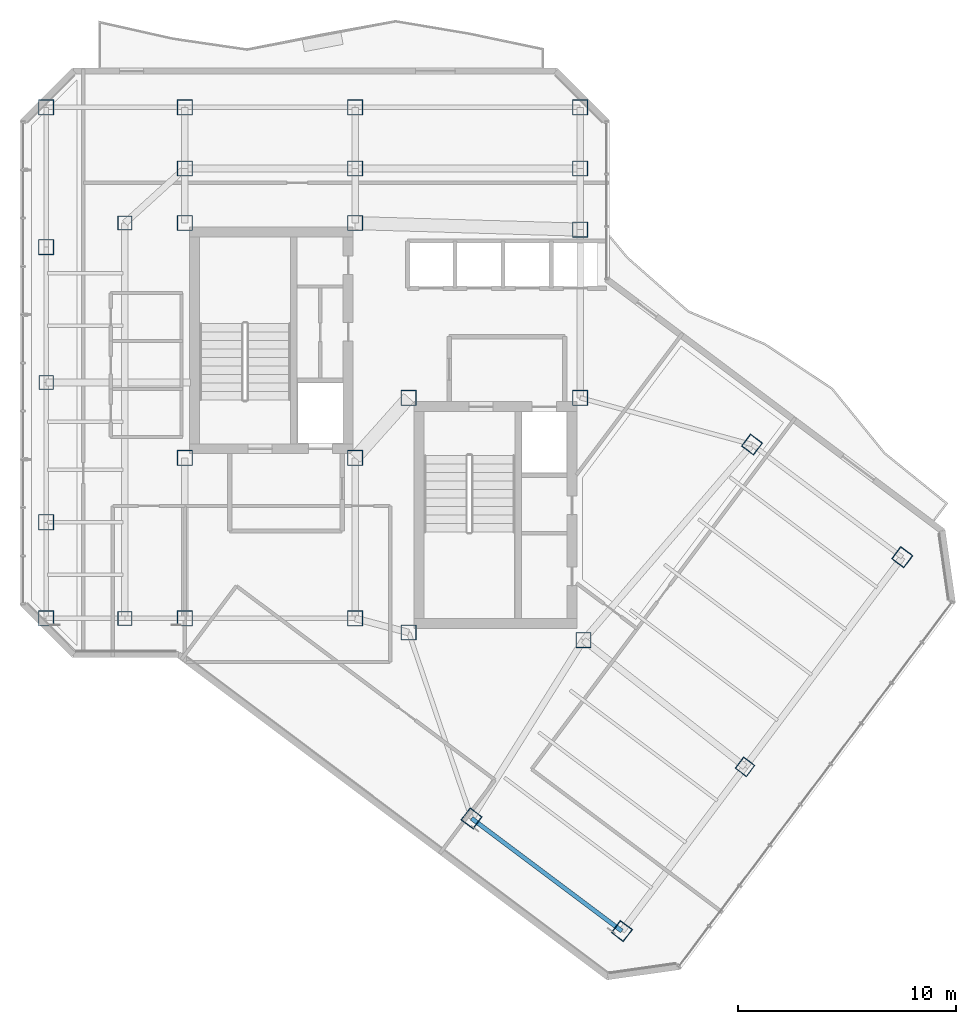
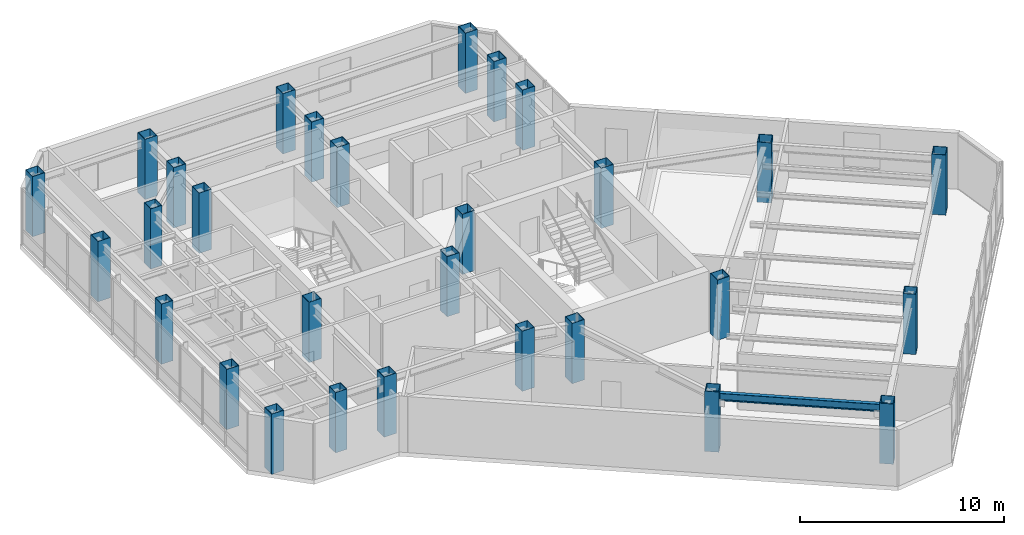
# One storey, part 1 of 25: 29 columns, 1 beam.
"""IFC4 building model written with IfcOpenShell, lengths in metres."""

from ifc_helpers import new_model, si_unit, direction, frame, origin, origin_2d, place, context, subcontext, project, spatial, hollow_rectangle, i_section, extrude, material, material_profile, profile_set, type_object, element, save


model = new_model("IFC4")

# Units and contexts
model_context = context("Model", 3, precision=1e-05, world=origin(), true_north=direction((0.0, 1.0)))
body_context = subcontext(model_context, "Body", "Model", "MODEL_VIEW")
ifc_project = project(units=[si_unit("LENGTHUNIT", "METRE"), si_unit("AREAUNIT", "SQUARE_METRE"), si_unit("VOLUMEUNIT", "CUBIC_METRE"), si_unit("PLANEANGLEUNIT", "RADIAN"), si_unit("MASSUNIT", "GRAM", prefix="KILO")], contexts=[model_context])

# Site, building, storey
site_placement = place(None, origin())
site = spatial("IfcSite", under=ifc_project, at=site_placement, CompositionType="ELEMENT")
building_placement = place(site_placement, origin())
building = spatial("IfcBuilding", under=site, at=building_placement, Name="Hatsunagi Terrace Concourse", CompositionType="ELEMENT")
storey_placement = place(building_placement, frame((0.0, 0.0, 220.35009765625)))
storey = spatial("IfcBuildingStorey", under=building, at=storey_placement, Name="L58", CompositionType="ELEMENT", Elevation=220.35009765625)

# Columns
ifc_material_1 = material(Name="Steel BCP325T", Category="steel")
ifc_material_profile_1 = material_profile(ifc_material_1, hollow_rectangle(XDim=0.64990234375, YDim=0.64990234375, WallThickness=0.02490234375, at=origin_2d()), Name="BCP-650x650x25")
ifc_profile_set_1 = profile_set([ifc_material_profile_1], Name="Steel BCP325T")
column_type_1 = type_object("IfcColumnType", Name="TowerBoxColumn_650x650x25", PredefinedType="COLUMN", material=ifc_profile_set_1)
for number, where, z_axis, x_axis, name in (
    (1, (22.800048828125, 25.199951171875, 0.0), (0.0, 0.0, 1.0), (1.0, 0.0, 0.0), "Column C-09 L58-CW1"),
    (2, (22.800048828125, 43.300048828125, 0.0), (0.0, 0.0, 1.0), (1.0, 0.0, 0.0), "Column C-09 L58-CW2"),
    (3, (19.199951171875, 36.0, 0.0), (0.0, 0.0, 1.0), (1.0, 0.0, 0.0), "Column C-09 L58-WT2"),
    (4, (51.199951171875, 18.39990234375, 0.0), (0.0, 0.0, 1.0), (0.799999996291, -0.600000004945, 0.0), "Column C-09 L58-SEM2"),
):
    element("IfcColumn", number, at=place(storey_placement, frame(where, z_axis=z_axis, x_axis=x_axis)), inside=storey, type_object=column_type_1, Name=name, PredefinedType="COLUMN", context=body_context, shape_type="SweptSolid", body=[
        extrude(hollow_rectangle(XDim=0.64990234375, YDim=0.64990234375, WallThickness=0.02490234375, at=origin_2d()), origin(), (0.0, 0.0, 1.0), 3.599853515625),
    ])
ifc_material_2 = material(Name="Steel BCP325T", Category="steel")
ifc_material_profile_2 = material_profile(ifc_material_2, hollow_rectangle(XDim=0.699951171875, YDim=0.699951171875, WallThickness=0.028076171875, at=origin_2d()), Name="BCP-700x700x28")
ifc_profile_set_2 = profile_set([ifc_material_profile_2], Name="Steel BCP325T")
column_type_2 = type_object("IfcColumnType", Name="TowerBoxColumn_700x700x28", PredefinedType="COLUMN", material=ifc_profile_set_2)
for number, where, z_axis, x_axis, name in (
    (5, (25.550048828125, 32.550048828125, 0.0), (0.0, 0.0, 1.0), (1.0, 0.0, 0.0), "Column C-08 L58-CASW"),
    (6, (33.35009765625, 32.550048828125, 0.0), (0.0, 0.0, 1.0), (1.0, 0.0, 0.0), "Column C-08 L58-CASE"),
    (7, (25.550048828125, 43.300048828125, 0.0), (0.0, 0.0, 1.0), (1.0, 0.0, 0.0), "Column C-08 L58-CANW"),
    (8, (33.35009765625, 43.300048828125, 0.0), (0.0, 0.0, 1.0), (1.0, 0.0, 0.0), "Column C-08 L58-CANE"),
    (9, (35.800048828125, 24.550048828125, 0.0), (0.0, 0.0, 1.0), (1.0, 0.0, 0.0), "Column C-08 L58-CBSW"),
    (10, (43.800048828125, 24.199951171875, 0.0), (0.0, 0.0, 1.0), (1.0, 0.0, 0.0), "Column C-08 L58-CBSE"),
    (11, (35.800048828125, 35.300048828125, 0.0), (0.0, 0.0, 1.0), (1.0, 0.0, 0.0), "Column C-08 L58-CBNW"),
    (12, (43.64990234375, 35.300048828125, 0.0), (0.0, 0.0, 1.0), (1.0, 0.0, 0.0), "Column C-08 L58-CBNE"),
    (13, (25.550048828125, 25.199951171875, 0.0), (0.0, 0.0, 1.0), (1.0, 0.0, 0.0), "Column C-08 L58-K1"),
    (14, (33.35009765625, 25.199951171875, 0.0), (0.0, 0.0, 1.0), (1.0, 0.0, 0.0), "Column C-08 L58-K2"),
    (15, (43.64990234375, 43.0, 0.0), (0.0, 0.0, 1.0), (1.0, 0.0, 0.0), "Column C-08 L58-K3"),
    (16, (25.550048828125, 45.800048828125, 0.0), (0.0, 0.0, 1.0), (1.0, 0.0, 0.0), "Column C-08 L58-CN1"),
    (17, (33.35009765625, 45.800048828125, 0.0), (0.0, 0.0, 1.0), (1.0, 0.0, 0.0), "Column C-08 L58-CN2"),
    (18, (43.64990234375, 45.800048828125, 0.0), (0.0, 0.0, 1.0), (1.0, 0.0, 0.0), "Column C-08 L58-CN3"),
    (19, (19.199951171875, 48.60009765625, 0.0), (0.0, 0.0, 1.0), (1.0, 0.0, 0.0), "Column C-08 L58-WN3"),
    (20, (25.550048828125, 48.60009765625, 0.0), (0.0, 0.0, 1.0), (1.0, 0.0, 0.0), "Column C-08 L58-WN4"),
    (21, (33.35009765625, 48.60009765625, 0.0), (0.0, 0.0, 1.0), (1.0, 0.0, 0.0), "Column C-08 L58-WN5"),
    (22, (43.64990234375, 48.60009765625, 0.0), (0.0, 0.0, 1.0), (1.0, 0.0, 0.0), "Column C-08 L58-WN6"),
    (23, (19.199951171875, 25.199951171875, 0.0), (0.0, 0.0, 1.0), (1.0, 0.0, 0.0), "Column C-08 L58-WS3"),
    (24, (19.199951171875, 29.60009765625, 0.0), (0.0, 0.0, 1.0), (1.0, 0.0, 0.0), "Column C-08 L58-WR1"),
    (25, (19.199951171875, 42.199951171875, 0.0), (0.0, 0.0, 1.0), (1.0, 0.0, 0.0), "Column C-08 L58-WR2"),
    (26, (38.679931640625, 16.0400390625, 0.0), (0.0, 0.0, 1.0), (0.799999996291, -0.600000004945, 0.0), "Column C-08 L58-SES1"),
    (27, (51.52001953125, 33.159912109375, 0.0), (0.0, 0.0, 1.0), (0.799999996291, -0.600000004945, 0.0), "Column C-08 L58-SEN1"),
    (28, (45.56005859375, 10.8798828125, 0.0), (0.0, 0.0, 1.0), (0.799999996291, -0.600000004945, 0.0), "Column C-08 L58-SES2"),
    (29, (58.39990234375, 28.0, 0.0), (0.0, 0.0, 1.0), (0.799999996291, -0.600000004945, 0.0), "Column C-08 L58-SEN2"),
):
    element("IfcColumn", number, at=place(storey_placement, frame(where, z_axis=z_axis, x_axis=x_axis)), inside=storey, type_object=column_type_2, Name=name, PredefinedType="COLUMN", context=body_context, shape_type="SweptSolid", body=[
        extrude(hollow_rectangle(XDim=0.699951171875, YDim=0.699951171875, WallThickness=0.028076171875, at=origin_2d()), origin(), (0.0, 0.0, 1.0), 3.599853515625),
    ])

# Beam
ifc_material_3 = material(Name="Steel SN490B", Category="steel")
ifc_material_profile_3 = material_profile(ifc_material_3, i_section(OverallWidth=0.199951171875, OverallDepth=0.449951171875, WebThickness=0.009033203125, FlangeThickness=0.013916015625, FilletRadius=0.01611328125, at=origin_2d()), Name="H-450x200x9x14")
ifc_profile_set_3 = profile_set([ifc_material_profile_3], Name="Steel SN490B")
beam_type = type_object("IfcBeamType", Name="PerimeterSpandrel_H_450x200", PredefinedType="SPANDREL", material=ifc_profile_set_3)
beam_placement = place(storey_placement, frame((38.679931640625, 16.0400390625, 3.125), z_axis=(0.799996593451, -0.600004542038, 0.0), x_axis=(0.600004542038, 0.799996593451, 0.0)))
element("IfcBeam", 30, at=beam_placement, inside=storey, type_object=beam_type, Name="Beam SP-02 BM-L58-SE-SW2", PredefinedType="SPANDREL", context=body_context, shape_type="SweptSolid", body=[
    extrude(i_section(OverallWidth=0.199951171875, OverallDepth=0.449951171875, WebThickness=0.009033203125, FlangeThickness=0.013916015625, FilletRadius=0.01611328125, at=origin_2d()), origin(), (0.0, 0.0, 1.0), 8.60009765625),
])

save(model, "model.ifc")
